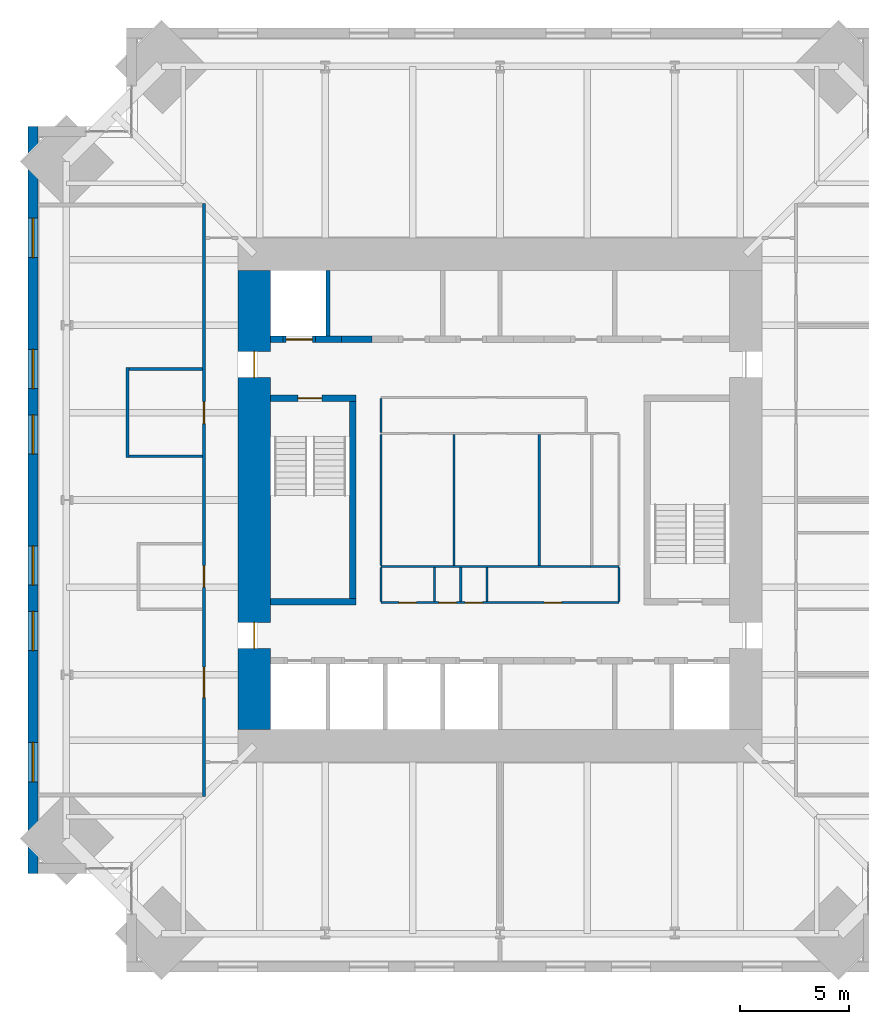
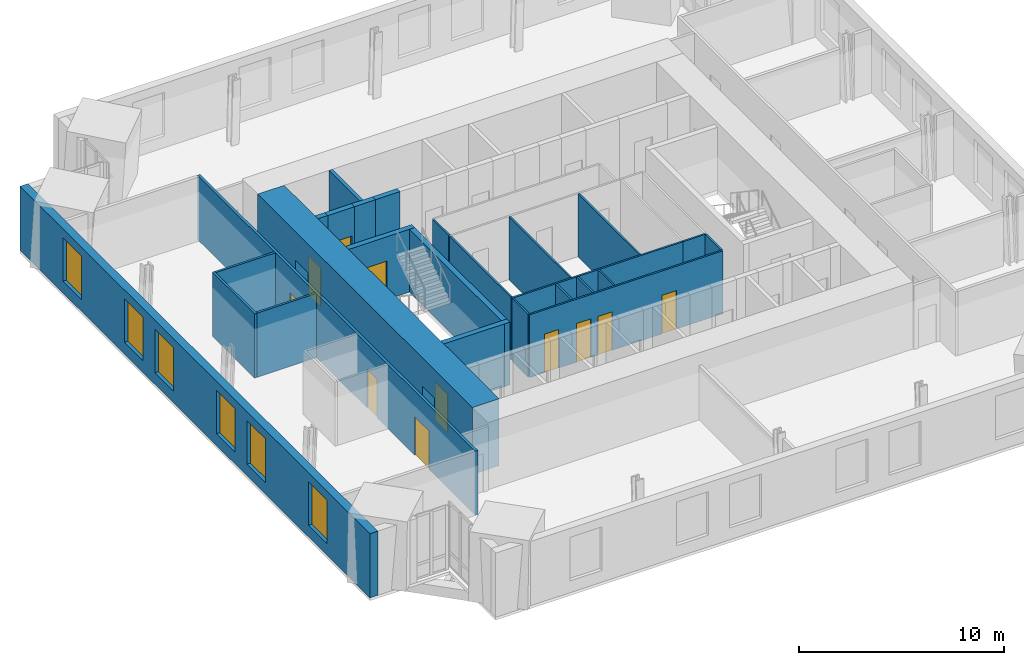
# One storey, part 12 of 16: 26 walls, 11 doors, 6 windows, 17 openings.
"""IFC4 building model written with IfcOpenShell, lengths in metres."""

from ifc_helpers import new_model, si_unit, direction, frame, frame_2d, origin, place, context, subcontext, project, spatial, rectangle, extrude, material, layer, layer_set, type_object, element, fill, save


model = new_model("IFC4")

# Units and contexts
model_context = context("Model", 3, precision=1e-05, world=origin(), true_north=direction((0.0, 1.0)))
body_context = subcontext(model_context, "Body", "Model", "MODEL_VIEW")
ifc_project = project(units=[si_unit("LENGTHUNIT", "METRE"), si_unit("AREAUNIT", "SQUARE_METRE"), si_unit("VOLUMEUNIT", "CUBIC_METRE"), si_unit("PLANEANGLEUNIT", "RADIAN"), si_unit("MASSUNIT", "GRAM", prefix="KILO")], contexts=[model_context])

# Site, building, storey
site_placement = place(None, origin())
site = spatial("IfcSite", under=ifc_project, at=site_placement, CompositionType="ELEMENT")
building_placement = place(site_placement, origin())
building = spatial("IfcBuilding", under=site, at=building_placement, Name="Peilmerk Tower", CompositionType="ELEMENT")
storey_placement = place(building_placement, frame((0.0, 0.0, 273.800048828125)))
storey = spatial("IfcBuildingStorey", under=building, at=storey_placement, Name="L61", CompositionType="ELEMENT", Elevation=273.800048828125)

# Wall, openings, windows
ifc_material_1 = material(Name="Precast concrete C45/55, board-marked finish", Category="concrete")
ifc_layer_1 = layer(ifc_material_1, 0.449951171875)
ifc_layer_set_1 = layer_set([ifc_layer_1], Name="Precast concrete C45/55, board-marked finish")
wall_type_1 = type_object("IfcWallType", Name="EW1 450 precast concrete facade wall, board-marked", PredefinedType="SOLIDWALL", material=ifc_layer_set_1)
wall_1_placement = place(storey_placement, frame((-21.375, 17.10009765625, 0.0), z_axis=(0.0, 0.0, 1.0), x_axis=(0.0, -1.0, 0.0)))
wall_1 = element("IfcWall", 1, at=wall_1_placement, inside=storey, type_object=wall_type_1, Name="Facade wall W L61", PredefinedType="SOLIDWALL", context=body_context, shape_type="SweptSolid", body=[
    extrude(rectangle(XDim=34.2001953125, YDim=0.449951171875, at=frame_2d((17.10009765625, 0.0))), origin(), (0.0, 0.0, 1.0), 3.829833984375),
])
opening_1_placement = place(wall_1_placement, frame((4.199951171875, 0.0, 0.699951171875)))
opening_1 = element("IfcOpeningElement", 2, at=opening_1_placement, cuts=wall_1, Name="Opening W1", PredefinedType="OPENING", context=body_context, shape_type="SweptSolid", body=[
    extrude(rectangle(XDim=1.800048828125, YDim=2.60009765625, at=frame_2d((0.89990234375, 1.300048828125))), frame((0.0, 0.23486328125, 0.0), z_axis=(0.0, -1.0, 0.0), x_axis=(1.0, 0.0, 0.0)), (0.0, 0.0, 1.0), 0.469970703125),
])
opening_2_placement = place(wall_1_placement, frame((10.199951171875, 0.0, 0.699951171875)))
opening_2 = element("IfcOpeningElement", 3, at=opening_2_placement, cuts=wall_1, Name="Opening W1", PredefinedType="OPENING", context=body_context, shape_type="SweptSolid", body=[
    extrude(rectangle(XDim=1.800048828125, YDim=2.60009765625, at=frame_2d((0.89990234375, 1.300048828125))), frame((0.0, 0.23486328125, 0.0), z_axis=(0.0, -1.0, 0.0), x_axis=(1.0, 0.0, 0.0)), (0.0, 0.0, 1.0), 0.469970703125),
])
opening_3_placement = place(wall_1_placement, frame((13.199951171875, 0.0, 0.699951171875)))
opening_3 = element("IfcOpeningElement", 4, at=opening_3_placement, cuts=wall_1, Name="Opening W1", PredefinedType="OPENING", context=body_context, shape_type="SweptSolid", body=[
    extrude(rectangle(XDim=1.800048828125, YDim=2.60009765625, at=frame_2d((0.89990234375, 1.300048828125))), frame((0.0, 0.23486328125, 0.0), z_axis=(0.0, -1.0, 0.0), x_axis=(1.0, 0.0, 0.0)), (0.0, 0.0, 1.0), 0.469970703125),
])
opening_4_placement = place(wall_1_placement, frame((19.199951171875, 0.0, 0.699951171875)))
opening_4 = element("IfcOpeningElement", 5, at=opening_4_placement, cuts=wall_1, Name="Opening W1", PredefinedType="OPENING", context=body_context, shape_type="SweptSolid", body=[
    extrude(rectangle(XDim=1.800048828125, YDim=2.60009765625, at=frame_2d((0.89990234375, 1.300048828125))), frame((0.0, 0.23486328125, 0.0), z_axis=(0.0, -1.0, 0.0), x_axis=(1.0, 0.0, 0.0)), (0.0, 0.0, 1.0), 0.469970703125),
])
opening_5_placement = place(wall_1_placement, frame((22.199951171875, 0.0, 0.699951171875)))
opening_5 = element("IfcOpeningElement", 6, at=opening_5_placement, cuts=wall_1, Name="Opening W1", PredefinedType="OPENING", context=body_context, shape_type="SweptSolid", body=[
    extrude(rectangle(XDim=1.800048828125, YDim=2.60009765625, at=frame_2d((0.89990234375, 1.300048828125))), frame((0.0, 0.23486328125, 0.0), z_axis=(0.0, -1.0, 0.0), x_axis=(1.0, 0.0, 0.0)), (0.0, 0.0, 1.0), 0.469970703125),
])
opening_6_placement = place(wall_1_placement, frame((28.199951171875, 0.0, 0.699951171875)))
opening_6 = element("IfcOpeningElement", 7, at=opening_6_placement, cuts=wall_1, Name="Opening W1", PredefinedType="OPENING", context=body_context, shape_type="SweptSolid", body=[
    extrude(rectangle(XDim=1.800048828125, YDim=2.60009765625, at=frame_2d((0.89990234375, 1.300048828125))), frame((0.0, 0.23486328125, 0.0), z_axis=(0.0, -1.0, 0.0), x_axis=(1.0, 0.0, 0.0)), (0.0, 0.0, 1.0), 0.469970703125),
])
ifc_material_2 = material(Name="Aluminium frame, clear double glazing", Category="aluminium")
window_type = type_object("IfcWindowType", Name="W1 1800x2600 office window", PartitioningType="SINGLE_PANEL", PredefinedType="WINDOW", material=ifc_material_2)
window_1_placement = place(opening_1_placement, origin())
window_1 = element("IfcWindow", 8, at=window_1_placement, inside=storey, type_object=window_type, Name="Window W1 L61", OverallHeight=2.60009765625, OverallWidth=1.800048828125, PartitioningType="SINGLE_PANEL", PredefinedType="WINDOW", context=body_context, shape_type="SweptSolid", body=[
    extrude(rectangle(XDim=1.800048828125, YDim=2.60009765625, at=frame_2d((0.89990234375, 1.300048828125))), frame((0.0, 0.030029296875, 0.0), z_axis=(0.0, -1.0, 0.0), x_axis=(1.0, 0.0, 0.0)), (0.0, 0.0, 1.0), 0.06005859375),
])
fill(opening_1, window_1)
window_2_placement = place(opening_2_placement, origin())
window_2 = element("IfcWindow", 9, at=window_2_placement, inside=storey, type_object=window_type, Name="Window W1 L61", OverallHeight=2.60009765625, OverallWidth=1.800048828125, PartitioningType="SINGLE_PANEL", PredefinedType="WINDOW", context=body_context, shape_type="SweptSolid", body=[
    extrude(rectangle(XDim=1.800048828125, YDim=2.60009765625, at=frame_2d((0.89990234375, 1.300048828125))), frame((0.0, 0.030029296875, 0.0), z_axis=(0.0, -1.0, 0.0), x_axis=(1.0, 0.0, 0.0)), (0.0, 0.0, 1.0), 0.06005859375),
])
fill(opening_2, window_2)
window_3_placement = place(opening_3_placement, origin())
window_3 = element("IfcWindow", 10, at=window_3_placement, inside=storey, type_object=window_type, Name="Window W1 L61", OverallHeight=2.60009765625, OverallWidth=1.800048828125, PartitioningType="SINGLE_PANEL", PredefinedType="WINDOW", context=body_context, shape_type="SweptSolid", body=[
    extrude(rectangle(XDim=1.800048828125, YDim=2.60009765625, at=frame_2d((0.89990234375, 1.300048828125))), frame((0.0, 0.030029296875, 0.0), z_axis=(0.0, -1.0, 0.0), x_axis=(1.0, 0.0, 0.0)), (0.0, 0.0, 1.0), 0.06005859375),
])
fill(opening_3, window_3)
window_4_placement = place(opening_4_placement, origin())
window_4 = element("IfcWindow", 11, at=window_4_placement, inside=storey, type_object=window_type, Name="Window W1 L61", OverallHeight=2.60009765625, OverallWidth=1.800048828125, PartitioningType="SINGLE_PANEL", PredefinedType="WINDOW", context=body_context, shape_type="SweptSolid", body=[
    extrude(rectangle(XDim=1.800048828125, YDim=2.60009765625, at=frame_2d((0.89990234375, 1.300048828125))), frame((0.0, 0.030029296875, 0.0), z_axis=(0.0, -1.0, 0.0), x_axis=(1.0, 0.0, 0.0)), (0.0, 0.0, 1.0), 0.06005859375),
])
fill(opening_4, window_4)
window_5_placement = place(opening_5_placement, origin())
window_5 = element("IfcWindow", 12, at=window_5_placement, inside=storey, type_object=window_type, Name="Window W1 L61", OverallHeight=2.60009765625, OverallWidth=1.800048828125, PartitioningType="SINGLE_PANEL", PredefinedType="WINDOW", context=body_context, shape_type="SweptSolid", body=[
    extrude(rectangle(XDim=1.800048828125, YDim=2.60009765625, at=frame_2d((0.89990234375, 1.300048828125))), frame((0.0, 0.030029296875, 0.0), z_axis=(0.0, -1.0, 0.0), x_axis=(1.0, 0.0, 0.0)), (0.0, 0.0, 1.0), 0.06005859375),
])
fill(opening_5, window_5)
window_6_placement = place(opening_6_placement, origin())
window_6 = element("IfcWindow", 13, at=window_6_placement, inside=storey, type_object=window_type, Name="Window W1 L61", OverallHeight=2.60009765625, OverallWidth=1.800048828125, PartitioningType="SINGLE_PANEL", PredefinedType="WINDOW", context=body_context, shape_type="SweptSolid", body=[
    extrude(rectangle(XDim=1.800048828125, YDim=2.60009765625, at=frame_2d((0.89990234375, 1.300048828125))), frame((0.0, 0.030029296875, 0.0), z_axis=(0.0, -1.0, 0.0), x_axis=(1.0, 0.0, 0.0)), (0.0, 0.0, 1.0), 0.06005859375),
])
fill(opening_6, window_6)

# Wall, openings, doors
ifc_material_3 = material(Name="Calcium silicate block", Category="masonry")
ifc_layer_2 = layer(ifc_material_3, 0.14990234375)
ifc_layer_set_2 = layer_set([ifc_layer_2], Name="Calcium silicate block")
wall_type_2 = type_object("IfcWallType", Name="IW1 150 corridor partition, EI 60", PredefinedType="PARTITIONING", material=ifc_layer_set_2)
wall_2_placement = place(storey_placement, frame((-13.550048828125, 13.574951171875, 0.0), z_axis=(0.0, 0.0, 1.0), x_axis=(0.0, -1.0, 0.0)))
wall_2 = element("IfcWall", 14, at=wall_2_placement, inside=storey, type_object=wall_type_2, Name="Corridor wall W L61", PredefinedType="PARTITIONING", context=body_context, shape_type="SweptSolid", body=[
    extrude(rectangle(XDim=27.14990234375, YDim=0.14990234375, at=frame_2d((13.574951171875, 0.0))), origin(), (0.0, 0.0, 1.0), 3.829833984375),
])
opening_7_placement = place(wall_2_placement, frame((21.22509765625, 0.0, 0.0)))
opening_7 = element("IfcOpeningElement", 15, at=opening_7_placement, cuts=wall_2, Name="Opening D8", PredefinedType="OPENING", context=body_context, shape_type="SweptSolid", body=[
    extrude(rectangle(XDim=1.39990234375, YDim=2.300048828125, at=frame_2d((0.699951171875, 1.14990234375))), frame((0.0, 0.0849609375, 0.0), z_axis=(0.0, -1.0, 0.0), x_axis=(1.0, 0.0, 0.0)), (0.0, 0.0, 1.0), 0.169921875),
])
opening_8_placement = place(wall_2_placement, frame((9.074951171875, 0.0, 0.0)))
opening_8 = element("IfcOpeningElement", 16, at=opening_8_placement, cuts=wall_2, Name="Opening D1", PredefinedType="OPENING", context=body_context, shape_type="SweptSolid", body=[
    extrude(rectangle(XDim=1.0, YDim=2.300048828125, at=frame_2d((0.5, 1.14990234375))), frame((0.0, 0.0849609375, 0.0), z_axis=(0.0, -1.0, 0.0), x_axis=(1.0, 0.0, 0.0)), (0.0, 0.0, 1.0), 0.169921875),
])
opening_9_placement = place(wall_2_placement, frame((16.574951171875, 0.0, 0.0)))
opening_9 = element("IfcOpeningElement", 17, at=opening_9_placement, cuts=wall_2, Name="Opening D1", PredefinedType="OPENING", context=body_context, shape_type="SweptSolid", body=[
    extrude(rectangle(XDim=1.0, YDim=2.300048828125, at=frame_2d((0.5, 1.14990234375))), frame((0.0, 0.0849609375, 0.0), z_axis=(0.0, -1.0, 0.0), x_axis=(1.0, 0.0, 0.0)), (0.0, 0.0, 1.0), 0.169921875),
])
ifc_material_4 = material(Name="Timber door in steel frame", Category="steel")
door_type_1 = type_object("IfcDoorType", Name="D1 1000x2300 room door, EI2 30", OperationType="SINGLE_SWING_LEFT", PredefinedType="DOOR", material=ifc_material_4)
door_1_placement = place(opening_8_placement, frame((1.0, 0.0, 0.0), z_axis=(0.0, 0.0, 1.0), x_axis=(-1.0, 0.0, 0.0)))
door_1 = element("IfcDoor", 18, at=door_1_placement, inside=storey, type_object=door_type_1, Name="Door Meeting room L61", OperationType="SINGLE_SWING_LEFT", OverallHeight=2.300048828125, OverallWidth=1.0, PredefinedType="DOOR", context=body_context, shape_type="SweptSolid", body=[
    extrude(rectangle(XDim=1.0, YDim=2.300048828125, at=frame_2d((0.5, 1.14990234375))), frame((0.0, 0.02490234375, 0.0), z_axis=(0.0, -1.0, 0.0), x_axis=(1.0, 0.0, 0.0)), (0.0, 0.0, 1.0), 0.050048828125),
])
fill(opening_8, door_1)
door_2_placement = place(opening_9_placement, frame((1.0, 0.0, 0.0), z_axis=(0.0, 0.0, 1.0), x_axis=(-1.0, 0.0, 0.0)))
door_2 = element("IfcDoor", 19, at=door_2_placement, inside=storey, type_object=door_type_1, Name="Door Quiet room L61", OperationType="SINGLE_SWING_LEFT", OverallHeight=2.300048828125, OverallWidth=1.0, PredefinedType="DOOR", context=body_context, shape_type="SweptSolid", body=[
    extrude(rectangle(XDim=1.0, YDim=2.300048828125, at=frame_2d((0.5, 1.14990234375))), frame((0.0, 0.02490234375, 0.0), z_axis=(0.0, -1.0, 0.0), x_axis=(1.0, 0.0, 0.0)), (0.0, 0.0, 1.0), 0.050048828125),
])
fill(opening_9, door_2)
door_type_2 = type_object("IfcDoorType", Name="D8 1400x2300 leaf-and-a-half door, EI2 30", OperationType="DOUBLE_DOOR_SINGLE_SWING", PredefinedType="DOOR", material=ifc_material_4)
door_3_placement = place(opening_7_placement, frame((1.39990234375, 0.0, 0.0), z_axis=(0.0, 0.0, 1.0), x_axis=(-1.0, 0.0, 0.0)))
door_3 = element("IfcDoor", 20, at=door_3_placement, inside=storey, type_object=door_type_2, Name="Door Client suite L61", OperationType="DOUBLE_DOOR_SINGLE_SWING", OverallHeight=2.300048828125, OverallWidth=1.39990234375, PredefinedType="DOOR", context=body_context, shape_type="SweptSolid", body=[
    extrude(rectangle(XDim=1.39990234375, YDim=2.300048828125, at=frame_2d((0.699951171875, 1.14990234375))), frame((0.0, 0.02490234375, 0.0), z_axis=(0.0, -1.0, 0.0), x_axis=(1.0, 0.0, 0.0)), (0.0, 0.0, 1.0), 0.050048828125),
])
fill(opening_7, door_3)

# Wall
ifc_material_5 = material(Name="Concrete C35/45", Category="concrete")
ifc_layer_3 = layer(ifc_material_5, 0.300048828125)
ifc_layer_set_3 = layer_set([ifc_layer_3], Name="Concrete C35/45")
wall_type_3 = type_object("IfcWallType", Name="IW3 300 concrete stair enclosure wall, EI 120", PredefinedType="SOLIDWALL", material=ifc_layer_set_3)
wall_3_placement = place(storey_placement, frame((-6.75, -4.800048828125, 0.0), z_axis=(0.0, 0.0, 1.0), x_axis=(0.0, 1.0, 0.0)))
element("IfcWall", 21, at=wall_3_placement, inside=storey, type_object=wall_type_3, Name="Stair 1 enclosure L61", PredefinedType="SOLIDWALL", context=body_context, shape_type="SweptSolid", body=[
    extrude(rectangle(XDim=9.60009765625, YDim=0.300048828125, at=frame_2d((4.800048828125, 0.0))), origin(), (0.0, 0.0, 1.0), 3.75),
])

# Wall, opening, door
wall_4_placement = place(storey_placement, frame((-10.5, 4.64990234375, 0.0), z_axis=(0.0, 0.0, 1.0), x_axis=(1.0, 0.0, 0.0)))
wall_4 = element("IfcWall", 22, at=wall_4_placement, inside=storey, type_object=wall_type_3, Name="Stair 1 enclosure L61", PredefinedType="SOLIDWALL", context=body_context, shape_type="SweptSolid", body=[
    extrude(rectangle(XDim=3.89990234375, YDim=0.300048828125, at=frame_2d((1.949951171875, 0.0))), origin(), (0.0, 0.0, 1.0), 3.75),
])
opening_10_placement = place(wall_4_placement, frame((1.25, 0.0, 0.0)))
opening_10 = element("IfcOpeningElement", 23, at=opening_10_placement, cuts=wall_4, Name="Opening D4", PredefinedType="OPENING", context=body_context, shape_type="SweptSolid", body=[
    extrude(rectangle(XDim=1.10009765625, YDim=2.300048828125, at=frame_2d((0.550048828125, 1.14990234375))), frame((0.0, 0.159912109375, 0.0), z_axis=(0.0, -1.0, 0.0), x_axis=(1.0, 0.0, 0.0)), (0.0, 0.0, 1.0), 0.320068359375),
])
ifc_material_6 = material(Name="Steel door in steel frame", Category="steel")
door_type_3 = type_object("IfcDoorType", Name="D4 1100x2300 stair door, EI2 60", OperationType="SINGLE_SWING_RIGHT", PredefinedType="DOOR", material=ifc_material_6)
door_4_placement = place(opening_10_placement, frame((1.10009765625, 0.0, 0.0), z_axis=(0.0, 0.0, 1.0), x_axis=(-1.0, 0.0, 0.0)))
door_4 = element("IfcDoor", 24, at=door_4_placement, inside=storey, type_object=door_type_3, Name="Stair 1 door L61", OperationType="SINGLE_SWING_RIGHT", OverallHeight=2.300048828125, OverallWidth=1.10009765625, PredefinedType="DOOR", context=body_context, shape_type="SweptSolid", body=[
    extrude(rectangle(XDim=1.10009765625, YDim=2.300048828125, at=frame_2d((0.550048828125, 1.14990234375))), frame((0.0, 0.02490234375, 0.0), z_axis=(0.0, -1.0, 0.0), x_axis=(1.0, 0.0, 0.0)), (0.0, 0.0, 1.0), 0.050048828125),
])
fill(opening_10, door_4)

# Walls
wall_5_placement = place(storey_placement, frame((-6.60009765625, -4.64990234375, 0.0), z_axis=(0.0, 0.0, 1.0), x_axis=(-1.0, 0.0, 0.0)))
element("IfcWall", 25, at=wall_5_placement, inside=storey, type_object=wall_type_3, Name="Stair 1 enclosure L61", PredefinedType="SOLIDWALL", context=body_context, shape_type="SweptSolid", body=[
    extrude(rectangle(XDim=3.89990234375, YDim=0.300048828125, at=frame_2d((1.949951171875, 0.0))), origin(), (0.0, 0.0, 1.0), 3.75),
])
ifc_material_7 = material(Name="Plasterboard on steel studs", Category="steel")
ifc_layer_4 = layer(ifc_material_7, 0.10009765625)
ifc_layer_set_4 = layer_set([ifc_layer_4], Name="Plasterboard on steel studs")
wall_type_4 = type_object("IfcWallType", Name="IW4 100 WC partition", PredefinedType="PARTITIONING", material=ifc_layer_set_4)
wall_6_placement = place(storey_placement, frame((4.14990234375, -3.050048828125, 0.0), z_axis=(0.0, 0.0, 1.0), x_axis=(-1.0, 0.0, 0.0)))
element("IfcWall", 26, at=wall_6_placement, inside=storey, type_object=wall_type_4, Name="WC wall L61", PredefinedType="PARTITIONING", context=body_context, shape_type="SweptSolid", body=[
    extrude(rectangle(XDim=9.599853515625, YDim=0.10009765625, at=frame_2d((4.7998046875, 0.0))), origin(), (0.0, 0.0, 1.0), 3.75),
])
for number, where, z_axis, x_axis, name in (
    (27, (-5.449951171875, -3.0, 0.0), (0.0, 0.0, 1.0), (0.0, 1.0, 0.0), "WC wall L61"),
    (28, (-2.10009765625, -3.0, 0.0), (0.0, 0.0, 1.0), (0.0, 1.0, 0.0), "WC wall L61"),
    (29, (1.800048828125, -3.0, 0.0), (0.0, 0.0, 1.0), (0.0, 1.0, 0.0), "WC wall L61"),
):
    element("IfcWall", number, at=place(storey_placement, frame(where, z_axis=z_axis, x_axis=x_axis)), inside=storey, type_object=wall_type_4, Name=name, PredefinedType="PARTITIONING", context=body_context, shape_type="SweptSolid", body=[
        extrude(rectangle(XDim=6.0, YDim=0.10009765625, at=frame_2d((3.0, 0.0))), origin(), (0.0, 0.0, 1.0), 3.75),
    ])
ifc_material_8 = material(Name="Calcium silicate board on steel studs", Category="steel")
ifc_layer_5 = layer(ifc_material_8, 0.10009765625)
ifc_layer_set_5 = layer_set([ifc_layer_5], Name="Calcium silicate board on steel studs")
wall_type_5 = type_object("IfcWallType", Name="IW5 100 riser enclosure wall, EI 60", PredefinedType="PARTITIONING", material=ifc_layer_set_5)
wall_7_placement = place(storey_placement, frame((5.449951171875, -3.050048828125, 0.0), z_axis=(0.0, 0.0, 1.0), x_axis=(-1.0, 0.0, 0.0)))
element("IfcWall", 30, at=wall_7_placement, inside=storey, type_object=wall_type_5, Name="Riser wall L61", PredefinedType="PARTITIONING", context=body_context, shape_type="SweptSolid", body=[
    extrude(rectangle(XDim=1.300048828125, YDim=0.10009765625, at=frame_2d((0.64990234375, 0.0))), origin(), (0.0, 0.0, 1.0), 3.75),
])

# Wall, openings, doors
wall_8_placement = place(storey_placement, frame((5.449951171875, -4.699951171875, 0.0), z_axis=(0.0, 0.0, 1.0), x_axis=(-1.0, 0.0, 0.0)))
wall_8 = element("IfcWall", 31, at=wall_8_placement, inside=storey, type_object=wall_type_5, Name="Riser wall L61", PredefinedType="PARTITIONING", context=body_context, shape_type="SweptSolid", body=[
    extrude(rectangle(XDim=10.89990234375, YDim=0.10009765625, at=frame_2d((5.449951171875, 0.0))), origin(), (0.0, 0.0, 1.0), 3.75),
])
opening_11_placement = place(wall_8_placement, frame((9.27490234375, 0.0, 0.0)))
opening_11 = element("IfcOpeningElement", 32, at=opening_11_placement, cuts=wall_8, Name="Opening D7", PredefinedType="OPENING", context=body_context, shape_type="SweptSolid", body=[
    extrude(rectangle(XDim=0.800048828125, YDim=2.300048828125, at=frame_2d((0.39990234375, 1.14990234375))), frame((0.0, 0.06005859375, 0.0), z_axis=(0.0, -1.0, 0.0), x_axis=(1.0, 0.0, 0.0)), (0.0, 0.0, 1.0), 0.1201171875),
])
opening_12_placement = place(wall_8_placement, frame((7.449951171875, 0.0, 0.0)))
opening_12 = element("IfcOpeningElement", 33, at=opening_12_placement, cuts=wall_8, Name="Opening D7", PredefinedType="OPENING", context=body_context, shape_type="SweptSolid", body=[
    extrude(rectangle(XDim=0.800048828125, YDim=2.300048828125, at=frame_2d((0.39990234375, 1.14990234375))), frame((0.0, 0.06005859375, 0.0), z_axis=(0.0, -1.0, 0.0), x_axis=(1.0, 0.0, 0.0)), (0.0, 0.0, 1.0), 0.1201171875),
])
opening_13_placement = place(wall_8_placement, frame((6.25, 0.0, 0.0)))
opening_13 = element("IfcOpeningElement", 34, at=opening_13_placement, cuts=wall_8, Name="Opening D7", PredefinedType="OPENING", context=body_context, shape_type="SweptSolid", body=[
    extrude(rectangle(XDim=0.800048828125, YDim=2.300048828125, at=frame_2d((0.39990234375, 1.14990234375))), frame((0.0, 0.06005859375, 0.0), z_axis=(0.0, -1.0, 0.0), x_axis=(1.0, 0.0, 0.0)), (0.0, 0.0, 1.0), 0.1201171875),
])
opening_14_placement = place(wall_8_placement, frame((2.625, 0.0, 0.0)))
opening_14 = element("IfcOpeningElement", 35, at=opening_14_placement, cuts=wall_8, Name="Opening D7", PredefinedType="OPENING", context=body_context, shape_type="SweptSolid", body=[
    extrude(rectangle(XDim=0.800048828125, YDim=2.300048828125, at=frame_2d((0.39990234375, 1.14990234375))), frame((0.0, 0.06005859375, 0.0), z_axis=(0.0, -1.0, 0.0), x_axis=(1.0, 0.0, 0.0)), (0.0, 0.0, 1.0), 0.1201171875),
])
door_type_4 = type_object("IfcDoorType", Name="D7 800x2300 riser access door, EI2 60", OperationType="SINGLE_SWING_RIGHT", PredefinedType="DOOR", material=ifc_material_6)
door_5_placement = place(opening_11_placement, frame((0.800048828125, 0.0, 0.0), z_axis=(0.0, 0.0, 1.0), x_axis=(-1.0, 0.0, 0.0)))
door_5 = element("IfcDoor", 36, at=door_5_placement, inside=storey, type_object=door_type_4, Name="Cleaner's cupboard door L61", OperationType="SINGLE_SWING_RIGHT", OverallHeight=2.300048828125, OverallWidth=0.800048828125, PredefinedType="DOOR", context=body_context, shape_type="SweptSolid", body=[
    extrude(rectangle(XDim=0.800048828125, YDim=2.300048828125, at=frame_2d((0.39990234375, 1.14990234375))), frame((0.0, 0.02490234375, 0.0), z_axis=(0.0, -1.0, 0.0), x_axis=(1.0, 0.0, 0.0)), (0.0, 0.0, 1.0), 0.050048828125),
])
fill(opening_11, door_5)
door_6_placement = place(opening_12_placement, frame((0.800048828125, 0.0, 0.0), z_axis=(0.0, 0.0, 1.0), x_axis=(-1.0, 0.0, 0.0)))
door_6 = element("IfcDoor", 37, at=door_6_placement, inside=storey, type_object=door_type_4, Name="Electrical riser door L61", OperationType="SINGLE_SWING_RIGHT", OverallHeight=2.300048828125, OverallWidth=0.800048828125, PredefinedType="DOOR", context=body_context, shape_type="SweptSolid", body=[
    extrude(rectangle(XDim=0.800048828125, YDim=2.300048828125, at=frame_2d((0.39990234375, 1.14990234375))), frame((0.0, 0.02490234375, 0.0), z_axis=(0.0, -1.0, 0.0), x_axis=(1.0, 0.0, 0.0)), (0.0, 0.0, 1.0), 0.050048828125),
])
fill(opening_12, door_6)
door_7_placement = place(opening_13_placement, frame((0.800048828125, 0.0, 0.0), z_axis=(0.0, 0.0, 1.0), x_axis=(-1.0, 0.0, 0.0)))
door_7 = element("IfcDoor", 38, at=door_7_placement, inside=storey, type_object=door_type_4, Name="Data riser door L61", OperationType="SINGLE_SWING_RIGHT", OverallHeight=2.300048828125, OverallWidth=0.800048828125, PredefinedType="DOOR", context=body_context, shape_type="SweptSolid", body=[
    extrude(rectangle(XDim=0.800048828125, YDim=2.300048828125, at=frame_2d((0.39990234375, 1.14990234375))), frame((0.0, 0.02490234375, 0.0), z_axis=(0.0, -1.0, 0.0), x_axis=(1.0, 0.0, 0.0)), (0.0, 0.0, 1.0), 0.050048828125),
])
fill(opening_13, door_7)
door_8_placement = place(opening_14_placement, frame((0.800048828125, 0.0, 0.0), z_axis=(0.0, 0.0, 1.0), x_axis=(-1.0, 0.0, 0.0)))
door_8 = element("IfcDoor", 39, at=door_8_placement, inside=storey, type_object=door_type_4, Name="Comms room door L61", OperationType="SINGLE_SWING_RIGHT", OverallHeight=2.300048828125, OverallWidth=0.800048828125, PredefinedType="DOOR", context=body_context, shape_type="SweptSolid", body=[
    extrude(rectangle(XDim=0.800048828125, YDim=2.300048828125, at=frame_2d((0.39990234375, 1.14990234375))), frame((0.0, 0.02490234375, 0.0), z_axis=(0.0, -1.0, 0.0), x_axis=(1.0, 0.0, 0.0)), (0.0, 0.0, 1.0), 0.050048828125),
])
fill(opening_14, door_8)

# Walls
for number, where, z_axis, x_axis, name in (
    (40, (-5.449951171875, -3.10009765625, 0.0), (0.0, 0.0, 1.0), (0.0, -1.0, 0.0), "Riser wall L61"),
    (41, (5.449951171875, -3.10009765625, 0.0), (0.0, 0.0, 1.0), (0.0, -1.0, 0.0), "Riser wall L61"),
    (42, (-3.0, -3.10009765625, 0.0), (0.0, 0.0, 1.0), (0.0, -1.0, 0.0), "Riser wall L61"),
    (43, (-1.800048828125, -3.10009765625, 0.0), (0.0, 0.0, 1.0), (0.0, -1.0, 0.0), "Riser wall L61"),
    (44, (-0.60009765625, -3.10009765625, 0.0), (0.0, 0.0, 1.0), (0.0, -1.0, 0.0), "Riser wall L61"),
):
    element("IfcWall", number, at=place(storey_placement, frame(where, z_axis=z_axis, x_axis=x_axis)), inside=storey, type_object=wall_type_5, Name=name, PredefinedType="PARTITIONING", context=body_context, shape_type="SweptSolid", body=[
        extrude(rectangle(XDim=1.5498046875, YDim=0.10009765625, at=frame_2d((0.77490234375, 0.0))), origin(), (0.0, 0.0, 1.0), 3.75),
    ])
ifc_material_9 = material(Name="Plasterboard on steel studs, double boarded with mineral wool", Category="steel")
ifc_layer_6 = layer(ifc_material_9, 0.125)
ifc_layer_set_6 = layer_set([ifc_layer_6], Name="Plasterboard on steel studs, double boarded with mineral wool")
wall_type_6 = type_object("IfcWallType", Name="IW7 125 acoustic partition, EI 30", PredefinedType="PARTITIONING", material=ifc_layer_set_6)
wall_9_placement = place(storey_placement, frame((-17.050048828125, 1.9375, 0.0), z_axis=(0.0, 0.0, 1.0), x_axis=(0.0, 1.0, 0.0)))
element("IfcWall", 45, at=wall_9_placement, inside=storey, type_object=wall_type_6, Name="Acoustic partition Meeting room L61", PredefinedType="PARTITIONING", context=body_context, shape_type="SweptSolid", body=[
    extrude(rectangle(XDim=4.125, YDim=0.125, at=frame_2d((2.0625, 0.0))), origin(), (0.0, 0.0, 1.0), 3.829833984375),
])
for number, where, z_axis, x_axis, name in (
    (46, (-13.625, 2.0, 0.0), (0.0, 0.0, 1.0), (-1.0, 0.0, 0.0), "Acoustic partition Meeting room L61"),
    (47, (-13.625, 6.0, 0.0), (0.0, 0.0, 1.0), (-1.0, 0.0, 0.0), "Acoustic partition Meeting room L61"),
):
    element("IfcWall", number, at=place(storey_placement, frame(where, z_axis=z_axis, x_axis=x_axis)), inside=storey, type_object=wall_type_6, Name=name, PredefinedType="PARTITIONING", context=body_context, shape_type="SweptSolid", body=[
        extrude(rectangle(XDim=3.362548828125, YDim=0.125, at=frame_2d((1.68115234375, 0.0))), origin(), (0.0, 0.0, 1.0), 3.829833984375),
    ])
ifc_material_10 = material(Name="Fire-resisting plasterboard on steel studs", Category="steel")
ifc_layer_7 = layer(ifc_material_10, 0.10009765625)
ifc_layer_set_7 = layer_set([ifc_layer_7], Name="Fire-resisting plasterboard on steel studs")
wall_type_7 = type_object("IfcWallType", Name="IW9 100 WC lobby wall, EI 30", PredefinedType="PARTITIONING", material=ifc_layer_set_7)
wall_10_placement = place(storey_placement, frame((-5.449951171875, 3.10009765625, 0.0), z_axis=(0.0, 0.0, 1.0), x_axis=(0.0, 1.0, 0.0)))
element("IfcWall", 48, at=wall_10_placement, inside=storey, type_object=wall_type_7, Name="WC lobby wall L61", PredefinedType="PARTITIONING", context=body_context, shape_type="SweptSolid", body=[
    extrude(rectangle(XDim=1.5498046875, YDim=0.10009765625, at=frame_2d((0.77490234375, 0.0))), origin(), (0.0, 0.0, 1.0), 3.75),
])
ifc_layer_8 = layer(ifc_material_3, 0.199951171875)
ifc_layer_set_8 = layer_set([ifc_layer_8], Name="Calcium silicate block")
wall_type_8 = type_object("IfcWallType", Name="SH1 200 shaft dividing wall, EI 120", PredefinedType="PARTITIONING", material=ifc_layer_set_8)
wall_11_placement = place(storey_placement, frame((-7.875, 7.5, 0.0), z_axis=(0.0, 0.0, 1.0), x_axis=(0.0, 1.0, 0.0)))
element("IfcWall", 49, at=wall_11_placement, inside=storey, type_object=wall_type_8, Name="Shaft wall N FL1 L61", PredefinedType="PARTITIONING", context=body_context, shape_type="SweptSolid", body=[
    extrude(rectangle(XDim=3.0, YDim=0.199951171875, at=frame_2d((1.5, 0.0))), origin(), (0.0, 0.0, 1.0), 4.0),
])

# Wall, opening, door
ifc_layer_9 = layer(ifc_material_3, 0.300048828125)
ifc_layer_set_9 = layer_set([ifc_layer_9], Name="Calcium silicate block")
wall_type_9 = type_object("IfcWallType", Name="SH2 300 lift landing door panel, EI 120", PredefinedType="PARTITIONING", material=ifc_layer_set_9)
wall_12_placement = place(storey_placement, frame((-9.9375, 7.35009765625, 0.0), z_axis=(0.0, 0.0, 1.0), x_axis=(1.0, 0.0, 0.0)))
wall_12 = element("IfcWall", 50, at=wall_12_placement, inside=storey, type_object=wall_type_9, Name="Lift door panel N FL1 L61", PredefinedType="PARTITIONING", context=body_context, shape_type="SweptSolid", body=[
    extrude(rectangle(XDim=1.5, YDim=0.300048828125, at=frame_2d((0.75, 0.0))), origin(), (0.0, 0.0, 1.0), 4.0),
])
opening_15_placement = place(wall_12_placement, frame((0.14990234375, 0.0, 0.0)))
opening_15 = element("IfcOpeningElement", 51, at=opening_15_placement, cuts=wall_12, Name="Opening LD2", PredefinedType="OPENING", context=body_context, shape_type="SweptSolid", body=[
    extrude(rectangle(XDim=1.199951171875, YDim=2.300048828125, at=frame_2d((0.60009765625, 1.14990234375))), frame((0.0, 0.159912109375, 0.0), z_axis=(0.0, -1.0, 0.0), x_axis=(1.0, 0.0, 0.0)), (0.0, 0.0, 1.0), 0.320068359375),
])
ifc_material_11 = material(Name="Stainless steel landing door", Category="steel")
door_type_5 = type_object("IfcDoorType", Name="LD2 1200x2300 lift landing door, sliding, EI2 60", OperationType="SLIDING_TO_LEFT", PredefinedType="DOOR", material=ifc_material_11)
door_9_placement = place(opening_15_placement, frame((1.199951171875, 0.0, 0.0), z_axis=(0.0, 0.0, 1.0), x_axis=(-1.0, 0.0, 0.0)))
door_9 = element("IfcDoor", 52, at=door_9_placement, inside=storey, type_object=door_type_5, Name="Lift landing door FL1 L61", OperationType="SLIDING_TO_LEFT", OverallHeight=2.300048828125, OverallWidth=1.199951171875, PredefinedType="DOOR", context=body_context, shape_type="SweptSolid", body=[
    extrude(rectangle(XDim=1.199951171875, YDim=2.300048828125, at=frame_2d((0.60009765625, 1.14990234375))), frame((0.0, 0.02490234375, 0.0), z_axis=(0.0, -1.0, 0.0), x_axis=(1.0, 0.0, 0.0)), (0.0, 0.0, 1.0), 0.050048828125),
])
fill(opening_15, door_9)

# Wall
wall_13_placement = place(storey_placement, frame((-7.262451171875, 7.35009765625, 0.0), z_axis=(0.0, 0.0, 1.0), x_axis=(1.0, 0.0, 0.0)))
element("IfcWall", 53, at=wall_13_placement, inside=storey, type_object=wall_type_9, Name="Lift door panel N A1 L61", PredefinedType="PARTITIONING", context=body_context, shape_type="SweptSolid", body=[
    extrude(rectangle(XDim=1.39990234375, YDim=0.300048828125, at=frame_2d((0.699951171875, 0.0))), origin(), (0.0, 0.0, 1.0), 4.0),
])

# Wall, openings, doors
ifc_material_12 = material(Name="Concrete C55/67", Category="concrete")
ifc_layer_10 = layer(ifc_material_12, 1.5)
ifc_layer_set_10 = layer_set([ifc_layer_10], Name="Concrete C55/67")
wall_type_10 = type_object("IfcWallType", Name="SW1 1500 core wall", PredefinedType="SHEAR", material=ifc_layer_set_10)
wall_14_placement = place(storey_placement, frame((-11.25, -10.5, 0.0), z_axis=(0.0, 0.0, 1.0), x_axis=(0.0, 1.0, 0.0)))
wall_14 = element("IfcWall", 54, at=wall_14_placement, inside=storey, type_object=wall_type_10, Name="Core wall W L61", PredefinedType="SHEAR", context=body_context, shape_type="SweptSolid", body=[
    extrude(rectangle(XDim=21.0, YDim=1.5, at=frame_2d((10.5, 0.0))), origin(), (0.0, 0.0, 1.0), 4.0),
])
opening_16_placement = place(wall_14_placement, frame((16.10009765625, 0.0, 0.0)))
opening_16 = element("IfcOpeningElement", 55, at=opening_16_placement, cuts=wall_14, Name="Opening D3", PredefinedType="OPENING", context=body_context, shape_type="SweptSolid", body=[
    extrude(rectangle(XDim=1.199951171875, YDim=2.300048828125, at=frame_2d((0.60009765625, 1.14990234375))), frame((0.0, 0.760009765625, 0.0), z_axis=(0.0, -1.0, 0.0), x_axis=(1.0, 0.0, 0.0)), (0.0, 0.0, 1.0), 1.52001953125),
])
opening_17_placement = place(wall_14_placement, frame((3.699951171875, 0.0, 0.0)))
opening_17 = element("IfcOpeningElement", 56, at=opening_17_placement, cuts=wall_14, Name="Opening D3", PredefinedType="OPENING", context=body_context, shape_type="SweptSolid", body=[
    extrude(rectangle(XDim=1.199951171875, YDim=2.300048828125, at=frame_2d((0.60009765625, 1.14990234375))), frame((0.0, 0.760009765625, 0.0), z_axis=(0.0, -1.0, 0.0), x_axis=(1.0, 0.0, 0.0)), (0.0, 0.0, 1.0), 1.52001953125),
])
door_type_6 = type_object("IfcDoorType", Name="D3 1200x2300 core door, EI2 60", OperationType="SINGLE_SWING_LEFT", PredefinedType="DOOR", material=ifc_material_6)
door_10_placement = place(opening_16_placement, frame((1.199951171875, 0.0, 0.0), z_axis=(0.0, 0.0, 1.0), x_axis=(-1.0, 0.0, 0.0)))
door_10 = element("IfcDoor", 57, at=door_10_placement, inside=storey, type_object=door_type_6, Name="Core door L61", OperationType="SINGLE_SWING_LEFT", OverallHeight=2.300048828125, OverallWidth=1.199951171875, PredefinedType="DOOR", context=body_context, shape_type="SweptSolid", body=[
    extrude(rectangle(XDim=1.199951171875, YDim=2.300048828125, at=frame_2d((0.60009765625, 1.14990234375))), frame((0.0, 0.02490234375, 0.0), z_axis=(0.0, -1.0, 0.0), x_axis=(1.0, 0.0, 0.0)), (0.0, 0.0, 1.0), 0.050048828125),
])
fill(opening_16, door_10)
door_11_placement = place(opening_17_placement, frame((1.199951171875, 0.0, 0.0), z_axis=(0.0, 0.0, 1.0), x_axis=(-1.0, 0.0, 0.0)))
door_11 = element("IfcDoor", 58, at=door_11_placement, inside=storey, type_object=door_type_6, Name="Core door L61", OperationType="SINGLE_SWING_LEFT", OverallHeight=2.300048828125, OverallWidth=1.199951171875, PredefinedType="DOOR", context=body_context, shape_type="SweptSolid", body=[
    extrude(rectangle(XDim=1.199951171875, YDim=2.300048828125, at=frame_2d((0.60009765625, 1.14990234375))), frame((0.0, 0.02490234375, 0.0), z_axis=(0.0, -1.0, 0.0), x_axis=(1.0, 0.0, 0.0)), (0.0, 0.0, 1.0), 0.050048828125),
])
fill(opening_17, door_11)

# Walls
ifc_layer_11 = layer(ifc_material_12, 0.300048828125)
ifc_layer_set_11 = layer_set([ifc_layer_11], Name="Concrete C55/67")
wall_type_11 = type_object("IfcWallType", Name="SW2 300 lift bank pier", PredefinedType="SHEAR", material=ifc_layer_set_11)
wall_15_placement = place(storey_placement, frame((-10.5, 7.35009765625, 0.0), z_axis=(0.0, 0.0, 1.0), x_axis=(1.0, 0.0, 0.0)))
element("IfcWall", 59, at=wall_15_placement, inside=storey, type_object=wall_type_11, Name="Lift bank pier N L61", PredefinedType="SHEAR", context=body_context, shape_type="SweptSolid", body=[
    extrude(rectangle(XDim=0.5625, YDim=0.300048828125, at=frame_2d((0.28125, 0.0))), origin(), (0.0, 0.0, 1.0), 4.0),
])
wall_16_placement = place(storey_placement, frame((-8.4375, 7.35009765625, 0.0), z_axis=(0.0, 0.0, 1.0), x_axis=(1.0, 0.0, 0.0)))
element("IfcWall", 60, at=wall_16_placement, inside=storey, type_object=wall_type_11, Name="Lift bank pier N L61", PredefinedType="SHEAR", context=body_context, shape_type="SweptSolid", body=[
    extrude(rectangle(XDim=1.175048828125, YDim=0.300048828125, at=frame_2d((0.58740234375, 0.0))), origin(), (0.0, 0.0, 1.0), 4.0),
])

save(model, "model.ifc")
